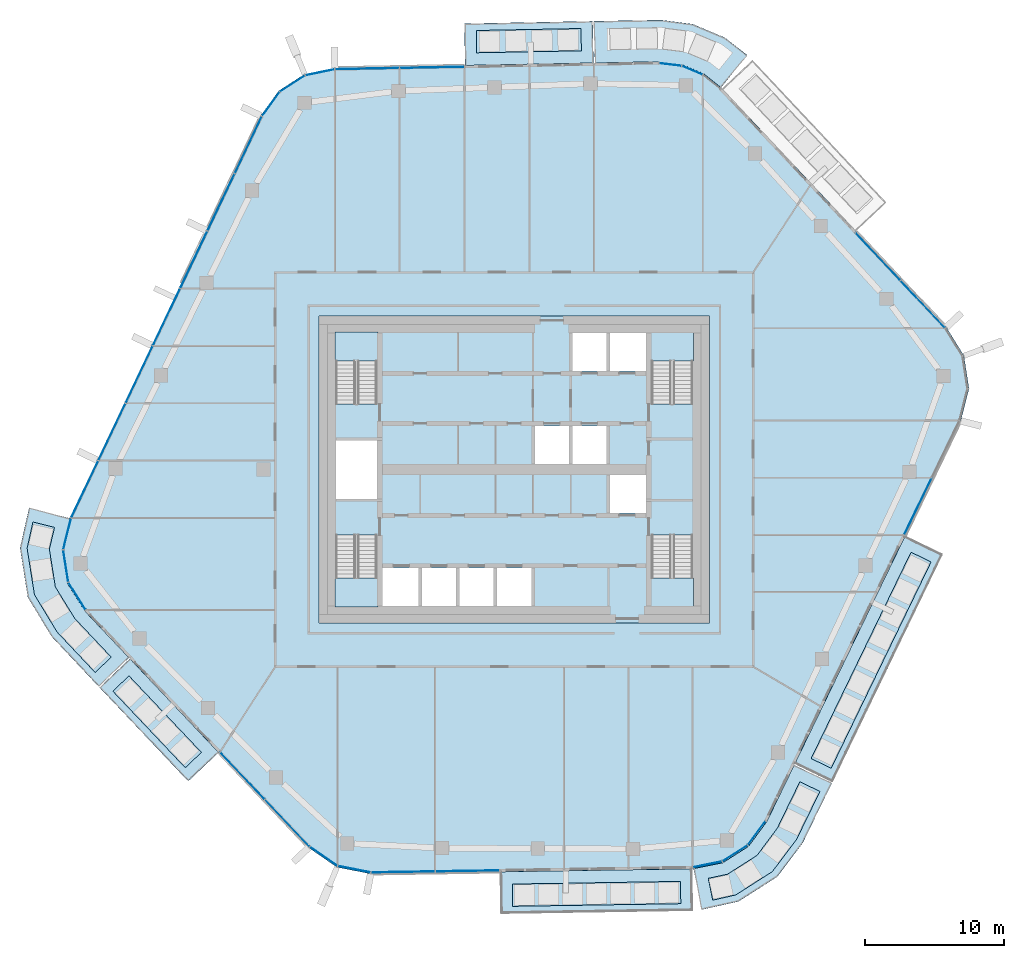
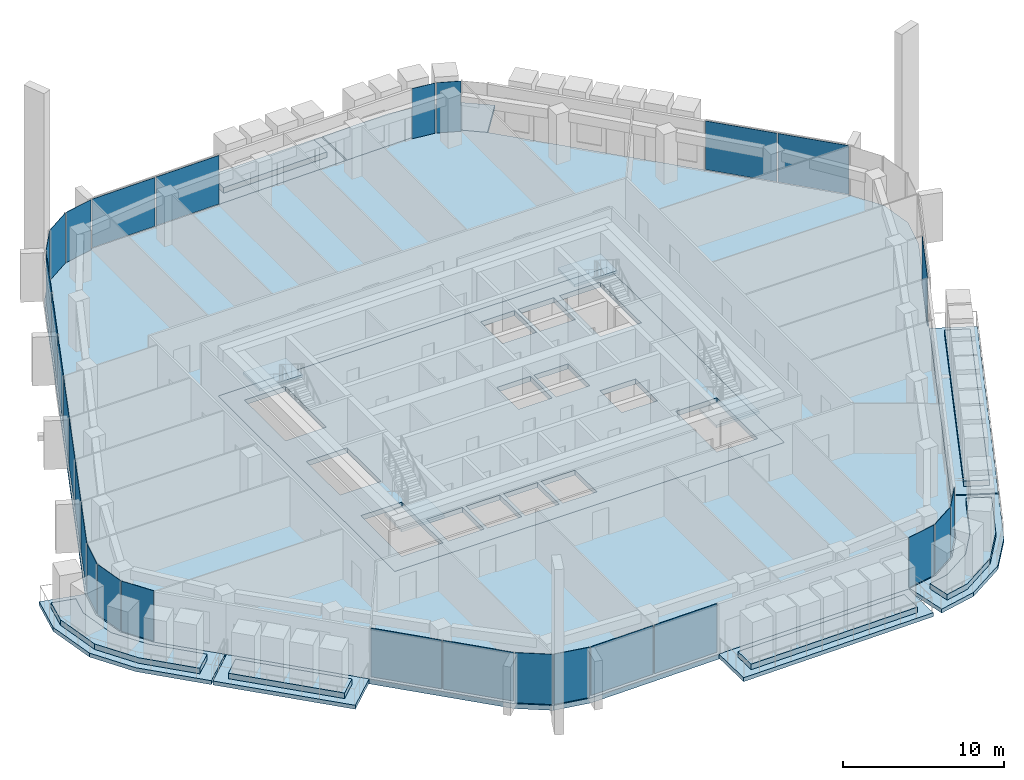
# One storey, part 11 of 24: 29 plates, 19 slabs, 15 elements without a shape of their own.
"""IFC4 building model written with IfcOpenShell, lengths in metres."""

from ifc_helpers import new_model, si_unit, direction, frame, origin, origin_2d, place, context, subcontext, project, spatial, polyline, rectangle, outline, extrude, material, layer, layer_set, type_object, element, aggregate, save


model = new_model("IFC4")

# Units and contexts
model_context = context("Model", 3, precision=1e-05, world=origin(), true_north=direction((0.0, 1.0)))
body_context = subcontext(model_context, "Body", "Model", "MODEL_VIEW")
ifc_project = project(units=[si_unit("LENGTHUNIT", "METRE"), si_unit("AREAUNIT", "SQUARE_METRE"), si_unit("VOLUMEUNIT", "CUBIC_METRE"), si_unit("PLANEANGLEUNIT", "RADIAN"), si_unit("MASSUNIT", "GRAM", prefix="KILO")], contexts=[model_context])

# Site, building, storey
site_placement = place(None, origin())
site = spatial("IfcSite", under=ifc_project, at=site_placement, CompositionType="ELEMENT")
building_placement = place(site_placement, origin())
building = spatial("IfcBuilding", under=site, at=building_placement, Name="Dongbaek Canopy Tower", CompositionType="ELEMENT")
storey_placement = place(building_placement, frame((0.0, 0.0, 294.199951171875)))
storey = spatial("IfcBuildingStorey", under=building, at=storey_placement, Name="L62", CompositionType="ELEMENT", Elevation=294.199951171875)

# Slabs
ifc_material_1 = material(Name="Concrete C40/50", Category="concrete")
ifc_layer_1 = layer(ifc_material_1, 0.300048828125)
ifc_layer_set_1 = layer_set([ifc_layer_1], Name="Balcony slab 300")
slab_type_1 = type_object("IfcSlabType", Name="Balcony slab 300", PredefinedType="FLOOR", material=ifc_layer_set_1)
slab_1_placement = place(storey_placement, frame((0.0, 0.0, -0.300048828125)))
element("IfcSlab", 1, at=slab_1_placement, inside=storey, type_object=slab_type_1, Name="Balcony L62 2", PredefinedType="FLOOR", context=body_context, shape_type="SweptSolid", body=[
    extrude(outline(polyline([(5.68310546875, 29.171875), (-3.52685546875, 28.99755859375), (-3.58349609375, 31.9970703125), (5.62646484375, 32.17138671875), (5.68310546875, 29.171875)])), origin(), (0.0, 0.0, 1.0), 0.300048828125),
])
slab_2_placement = place(storey_placement, frame((0.0, 0.0, -0.300048828125)))
element("IfcSlab", 2, at=slab_2_placement, inside=storey, type_object=slab_type_1, Name="Balcony L62 6", PredefinedType="FLOOR", context=body_context, shape_type="SweptSolid", body=[
    extrude(outline(polyline([(14.834716796875, 27.402099609375), (13.575927734375, 28.414306640625), (12.041259765625, 29.060791015625), (10.387939453125, 29.2607421875), (5.782958984375, 29.173583984375), (5.726318359375, 32.173095703125), (10.5400390625, 32.2568359375), (12.81103515625, 31.96044921875), (15.113037109375, 30.990478515625), (16.714599609375, 29.740234375), (14.834716796875, 27.402099609375)])), origin(), (0.0, 0.0, 1.0), 0.300048828125),
])
slab_3_placement = place(storey_placement, frame((0.0, 0.0, -0.300048828125)))
element("IfcSlab", 3, at=slab_3_placement, inside=storey, type_object=slab_type_1, Name="Balcony L62 3", PredefinedType="FLOOR", context=body_context, shape_type="SweptSolid", body=[
    extrude(outline(polyline([(-27.58154296875, -13.57568359375), (-21.217041015625, -20.3017578125), (-23.39599609375, -22.36376953125), (-29.7607421875, -15.6376953125), (-27.58154296875, -13.57568359375)])), origin(), (0.0, 0.0, 1.0), 0.300048828125),
])
slab_4_placement = place(storey_placement, frame((0.0, 0.0, -0.300048828125)))
element("IfcSlab", 4, at=slab_4_placement, inside=storey, type_object=slab_type_1, Name="Balcony L62 7", PredefinedType="FLOOR", context=body_context, shape_type="SweptSolid", body=[
    extrude(outline(polyline([(-31.906005859375, -3.48974609375), (-32.468994140625, -5.757568359375), (-32.095458984375, -8.114990234375), (-30.832763671875, -10.14013671875), (-27.650390625, -13.503173828125), (-29.829345703125, -15.565185546875), (-33.20703125, -11.973876953125), (-34.906005859375, -9.164306640625), (-35.46630859375, -5.62841796875), (-34.817626953125, -2.76708984375), (-31.906005859375, -3.48974609375)])), origin(), (0.0, 0.0, 1.0), 0.300048828125),
])
slab_5_placement = place(storey_placement, frame((0.0, 0.0, -0.300048828125)))
element("IfcSlab", 5, at=slab_5_placement, inside=storey, type_object=slab_type_1, Name="Balcony L62 4", PredefinedType="FLOOR", context=body_context, shape_type="SweptSolid", body=[
    extrude(outline(polyline([(-1.003173828125, -28.866455078125), (12.76220703125, -28.650634765625), (12.809326171875, -31.650146484375), (-0.956298828125, -31.8662109375), (-1.003173828125, -28.866455078125)])), origin(), (0.0, 0.0, 1.0), 0.300048828125),
])
slab_6_placement = place(storey_placement, frame((0.0, 0.0, -0.300048828125)))
element("IfcSlab", 6, at=slab_6_placement, inside=storey, type_object=slab_type_1, Name="Balcony L62 5", PredefinedType="FLOOR", context=body_context, shape_type="SweptSolid", body=[
    extrude(outline(polyline([(20.128662109375, -21.11474609375), (28.0390625, -4.780517578125), (30.739013671875, -6.088134765625), (22.82861328125, -22.42236328125), (20.128662109375, -21.11474609375)])), origin(), (0.0, 0.0, 1.0), 0.300048828125),
])
slab_7_placement = place(storey_placement, frame((0.0, 0.0, -0.300048828125)))
element("IfcSlab", 7, at=slab_7_placement, inside=storey, type_object=slab_type_1, Name="Balcony L62 8", PredefinedType="FLOOR", context=body_context, shape_type="SweptSolid", body=[
    extrude(outline(polyline([(12.861328125, -28.639892578125), (14.96435546875, -28.214111328125), (16.815673828125, -27.033447265625), (18.118408203125, -25.265625), (20.0849609375, -21.20458984375), (22.78515625, -22.51220703125), (20.686767578125, -26.81591796875), (18.864501953125, -29.224853515625), (16.087646484375, -30.99609375), (13.45654296875, -31.580322265625), (12.861328125, -28.639892578125)])), origin(), (0.0, 0.0, 1.0), 0.300048828125),
])

# Curtain wall, plates
ifc_material_2 = material(Name="Aluminium 6063-T6 pale anodised", Category="aluminium")
ifc_layer_2 = layer(ifc_material_2, 0.199951171875)
ifc_layer_set_2 = layer_set([ifc_layer_2], Name="CW-1 unitised tower curtain wall")
curtain_wall_type = type_object("IfcCurtainWallType", Name="CW-1 unitised tower curtain wall", PredefinedType="NOTDEFINED", material=ifc_layer_set_2)
curtain_wall_1_placement = place(storey_placement, origin())
curtain_wall_1 = element("IfcCurtainWall", 8, at=curtain_wall_1_placement, inside=storey, type_object=curtain_wall_type, Name="CW-1 curtain wall F0.1", PredefinedType="NOTDEFINED")
ifc_material_3 = material(Name="Clear laminated glass", Category="glass")
ifc_layer_3 = layer(ifc_material_3, 0.028076171875)
ifc_layer_set_3 = layer_set([ifc_layer_3], Name="CW-1 glazed panel 28")
plate_type = type_object("IfcPlateType", Name="CW-1 glazed panel 28", PredefinedType="CURTAIN_PANEL", material=ifc_layer_set_3)
plate_1_placement = place(storey_placement, frame((29.320068359375, 11.85302734375, 0.1201171875), z_axis=(0.0, 0.0, 1.0), x_axis=(-0.684830626177, 0.728702280393, 0.0)))
plate_1 = element("IfcPlate", 9, at=plate_1_placement, type_object=plate_type, Name="CW-1 panel F0.1.1.1", PredefinedType="CURTAIN_PANEL", context=body_context, shape_type="SweptSolid", body=[
    extrude(rectangle(XDim=4.618408203125, YDim=0.028076171875, at=origin_2d()), origin(), (0.0, 0.0, 1.0), 3.699951171875),
])
plate_2_placement = place(storey_placement, frame((26.09619140625, 15.283203125, 0.1201171875), z_axis=(0.0, 0.0, 1.0), x_axis=(-0.684830626177, 0.728702280393, 0.0)))
plate_2 = element("IfcPlate", 10, at=plate_2_placement, type_object=plate_type, Name="CW-1 panel F0.1.2.1", PredefinedType="CURTAIN_PANEL", context=body_context, shape_type="SweptSolid", body=[
    extrude(rectangle(XDim=4.62841796875, YDim=0.028076171875, at=origin_2d()), origin(), (0.0, 0.0, 1.0), 3.699951171875),
])
aggregate(curtain_wall_1, [plate_1, plate_2])

curtain_wall_2_placement = place(storey_placement, origin())
curtain_wall_2 = element("IfcCurtainWall", 11, at=curtain_wall_2_placement, inside=storey, type_object=curtain_wall_type, Name="CW-1 curtain wall K1.1", PredefinedType="NOTDEFINED")
plate_3_placement = place(storey_placement, frame((12.769775390625, 28.6455078125, 0.0), z_axis=(0.0, 0.0, 1.0), x_axis=(-0.921543381479, 0.38827541263, 0.0)))
plate_3 = element("IfcPlate", 12, at=plate_3_placement, type_object=plate_type, Name="CW-1 panel K1.1.2.1", PredefinedType="CURTAIN_PANEL", context=body_context, shape_type="SweptSolid", body=[
    extrude(rectangle(XDim=1.55322265625, YDim=0.028076171875, at=origin_2d()), origin(), (0.0, 0.0, 1.0), 3.820068359375),
])
plate_4_placement = place(storey_placement, frame((11.198974609375, 29.06201171875, 0.0), z_axis=(0.0, 0.0, 1.0), x_axis=(-0.992770795832, 0.120025609533, 0.0)))
plate_4 = element("IfcPlate", 13, at=plate_4_placement, type_object=plate_type, Name="CW-1 panel K1.1.3.1", PredefinedType="CURTAIN_PANEL", context=body_context, shape_type="SweptSolid", body=[
    extrude(rectangle(XDim=1.560302734375, YDim=0.028076171875, at=origin_2d()), origin(), (0.0, 0.0, 1.0), 3.820068359375),
])
aggregate(curtain_wall_2, [plate_3, plate_4])

curtain_wall_3_placement = place(storey_placement, origin())
curtain_wall_3 = element("IfcCurtainWall", 14, at=curtain_wall_3_placement, inside=storey, type_object=curtain_wall_type, Name="CW-1 curtain wall F1.1", PredefinedType="NOTDEFINED")
plate_5_placement = place(storey_placement, frame((-5.90234375, 28.852783203125, 0.1201171875), z_axis=(0.0, 0.0, 1.0), x_axis=(-0.999821283067, -0.018905076744, 0.0)))
plate_5 = element("IfcPlate", 15, at=plate_5_placement, type_object=plate_type, Name="CW-1 panel F1.1.1.1", PredefinedType="CURTAIN_PANEL", context=body_context, shape_type="SweptSolid", body=[
    extrude(rectangle(XDim=4.57177734375, YDim=0.028076171875, at=origin_2d()), origin(), (0.0, 0.0, 1.0), 3.699951171875),
])
plate_6_placement = place(storey_placement, frame((-10.552734375, 28.764892578125, 0.1201171875), z_axis=(0.0, 0.0, 1.0), x_axis=(-0.999821283067, -0.018905076744, 0.0)))
plate_6 = element("IfcPlate", 16, at=plate_6_placement, type_object=plate_type, Name="CW-1 panel F1.1.2.1", PredefinedType="CURTAIN_PANEL", context=body_context, shape_type="SweptSolid", body=[
    extrude(rectangle(XDim=4.5625, YDim=0.028076171875, at=origin_2d()), origin(), (0.0, 0.0, 1.0), 3.699951171875),
])
aggregate(curtain_wall_3, [plate_5, plate_6])

curtain_wall_4_placement = place(storey_placement, origin())
curtain_wall_4 = element("IfcCurtainWall", 17, at=curtain_wall_4_placement, inside=storey, type_object=curtain_wall_type, Name="CW-1 curtain wall K2.1", PredefinedType="NOTDEFINED")
plate_7_placement = place(storey_placement, frame((-13.941162109375, 28.500732421875, 0.0), z_axis=(0.0, 0.0, 1.0), x_axis=(-0.979338843238, -0.202226185556, 0.0)))
plate_7 = element("IfcPlate", 18, at=plate_7_placement, type_object=plate_type, Name="CW-1 panel K2.1.1.1", PredefinedType="CURTAIN_PANEL", context=body_context, shape_type="SweptSolid", body=[
    extrude(rectangle(XDim=2.092041015625, YDim=0.028076171875, at=origin_2d()), origin(), (0.0, 0.0, 1.0), 3.820068359375),
])
plate_8_placement = place(storey_placement, frame((-15.9169921875, 27.693359375, 0.0), z_axis=(0.0, 0.0, 1.0), x_axis=(-0.840235342412, -0.542221882039, 0.0)))
plate_8 = element("IfcPlate", 19, at=plate_8_placement, type_object=plate_type, Name="CW-1 panel K2.1.2.1", PredefinedType="CURTAIN_PANEL", context=body_context, shape_type="SweptSolid", body=[
    extrude(rectangle(XDim=2.082763671875, YDim=0.028076171875, at=origin_2d()), origin(), (0.0, 0.0, 1.0), 3.820068359375),
])
plate_9_placement = place(storey_placement, frame((-17.466796875, 26.2255859375, 0.0), z_axis=(0.0, 0.0, 1.0), x_axis=(-0.587744722494, -0.809046439446, 0.0)))
plate_9 = element("IfcPlate", 20, at=plate_9_placement, type_object=plate_type, Name="CW-1 panel K2.1.3.1", PredefinedType="CURTAIN_PANEL", context=body_context, shape_type="SweptSolid", body=[
    extrude(rectangle(XDim=2.092041015625, YDim=0.028076171875, at=origin_2d()), origin(), (0.0, 0.0, 1.0), 3.820068359375),
])
aggregate(curtain_wall_4, [plate_7, plate_8, plate_9])

curtain_wall_5_placement = place(storey_placement, origin())
curtain_wall_5 = element("IfcCurtainWall", 21, at=curtain_wall_5_placement, inside=storey, type_object=curtain_wall_type, Name="CW-1 curtain wall F2.1", PredefinedType="NOTDEFINED")
plate_10_placement = place(storey_placement, frame((-19.0830078125, 23.28955078125, 0.1201171875), z_axis=(0.0, 0.0, 1.0), x_axis=(-0.429143310174, -0.903236413866, 0.0)))
plate_10 = element("IfcPlate", 22, at=plate_10_placement, type_object=plate_type, Name="CW-1 panel F2.1.1.1", PredefinedType="CURTAIN_PANEL", context=body_context, shape_type="SweptSolid", body=[
    extrude(rectangle(XDim=4.4677734375, YDim=0.028076171875, at=origin_2d()), origin(), (0.0, 0.0, 1.0), 3.699951171875),
])
plate_11_placement = place(storey_placement, frame((-21.038330078125, 19.174072265625, 0.1201171875), z_axis=(0.0, 0.0, 1.0), x_axis=(-0.429143310174, -0.903236413866, 0.0)))
plate_11 = element("IfcPlate", 23, at=plate_11_placement, type_object=plate_type, Name="CW-1 panel F2.1.2.1", PredefinedType="CURTAIN_PANEL", context=body_context, shape_type="SweptSolid", body=[
    extrude(rectangle(XDim=4.47705078125, YDim=0.028076171875, at=origin_2d()), origin(), (0.0, 0.0, 1.0), 3.699951171875),
])
plate_12_placement = place(storey_placement, frame((-22.99560546875, 15.054443359375, 0.1201171875), z_axis=(0.0, 0.0, 1.0), x_axis=(-0.429143310174, -0.903236413866, 0.0)))
plate_12 = element("IfcPlate", 24, at=plate_12_placement, type_object=plate_type, Name="CW-1 panel F2.1.3.1", PredefinedType="CURTAIN_PANEL", context=body_context, shape_type="SweptSolid", body=[
    extrude(rectangle(XDim=4.47705078125, YDim=0.028076171875, at=origin_2d()), origin(), (0.0, 0.0, 1.0), 3.699951171875),
])
plate_13_placement = place(storey_placement, frame((-24.952880859375, 10.934814453125, 0.1201171875), z_axis=(0.0, 0.0, 1.0), x_axis=(-0.429143310174, -0.903236413866, 0.0)))
plate_13 = element("IfcPlate", 25, at=plate_13_placement, type_object=plate_type, Name="CW-1 panel F2.1.4.1", PredefinedType="CURTAIN_PANEL", context=body_context, shape_type="SweptSolid", body=[
    extrude(rectangle(XDim=4.47705078125, YDim=0.028076171875, at=origin_2d()), origin(), (0.0, 0.0, 1.0), 3.699951171875),
])
plate_14_placement = place(storey_placement, frame((-26.910400390625, 6.81494140625, 0.1201171875), z_axis=(0.0, 0.0, 1.0), x_axis=(-0.429143310174, -0.903236413866, 0.0)))
plate_14 = element("IfcPlate", 26, at=plate_14_placement, type_object=plate_type, Name="CW-1 panel F2.1.5.1", PredefinedType="CURTAIN_PANEL", context=body_context, shape_type="SweptSolid", body=[
    extrude(rectangle(XDim=4.47705078125, YDim=0.028076171875, at=origin_2d()), origin(), (0.0, 0.0, 1.0), 3.699951171875),
])
plate_15_placement = place(storey_placement, frame((-28.86767578125, 2.6953125, 0.1201171875), z_axis=(0.0, 0.0, 1.0), x_axis=(-0.429143310174, -0.903236413866, 0.0)))
plate_15 = element("IfcPlate", 27, at=plate_15_placement, type_object=plate_type, Name="CW-1 panel F2.1.6.1", PredefinedType="CURTAIN_PANEL", context=body_context, shape_type="SweptSolid", body=[
    extrude(rectangle(XDim=4.47705078125, YDim=0.028076171875, at=origin_2d()), origin(), (0.0, 0.0, 1.0), 3.699951171875),
])
plate_16_placement = place(storey_placement, frame((-30.82275390625, -1.419921875, 0.1201171875), z_axis=(0.0, 0.0, 1.0), x_axis=(-0.429143310174, -0.903236413866, 0.0)))
plate_16 = element("IfcPlate", 28, at=plate_16_placement, type_object=plate_type, Name="CW-1 panel F2.1.7.1", PredefinedType="CURTAIN_PANEL", context=body_context, shape_type="SweptSolid", body=[
    extrude(rectangle(XDim=4.467041015625, YDim=0.028076171875, at=origin_2d()), origin(), (0.0, 0.0, 1.0), 3.699951171875),
])
aggregate(curtain_wall_5, [plate_10, plate_11, plate_12, plate_13, plate_14, plate_15, plate_16])

curtain_wall_6_placement = place(storey_placement, origin())
curtain_wall_6 = element("IfcCurtainWall", 29, at=curtain_wall_6_placement, inside=storey, type_object=curtain_wall_type, Name="CW-1 curtain wall K3.1", PredefinedType="NOTDEFINED")
plate_17_placement = place(storey_placement, frame((-32.083251953125, -4.61865234375, 0.0), z_axis=(0.0, 0.0, 1.0), x_axis=(-0.240927401867, -0.970543140221, 0.0)))
plate_17 = element("IfcPlate", 30, at=plate_17_placement, type_object=plate_type, Name="CW-1 panel K3.1.1.1", PredefinedType="CURTAIN_PANEL", context=body_context, shape_type="SweptSolid", body=[
    extrude(rectangle(XDim=2.272216796875, YDim=0.028076171875, at=origin_2d()), origin(), (0.0, 0.0, 1.0), 3.820068359375),
])
plate_18_placement = place(storey_placement, frame((-32.18359375, -6.920654296875, 0.0), z_axis=(0.0, 0.0, 1.0), x_axis=(0.156478612427, -0.987681347325, 0.0)))
plate_18 = element("IfcPlate", 31, at=plate_18_placement, type_object=plate_type, Name="CW-1 panel K3.1.2.1", PredefinedType="CURTAIN_PANEL", context=body_context, shape_type="SweptSolid", body=[
    extrude(rectangle(XDim=2.261962890625, YDim=0.028076171875, at=origin_2d()), origin(), (0.0, 0.0, 1.0), 3.820068359375),
])
plate_19_placement = place(storey_placement, frame((-31.37646484375, -9.078857421875, 0.0), z_axis=(0.0, 0.0, 1.0), x_axis=(0.529125757844, -0.848543418091, 0.0)))
plate_19 = element("IfcPlate", 32, at=plate_19_placement, type_object=plate_type, Name="CW-1 panel K3.1.3.1", PredefinedType="CURTAIN_PANEL", context=body_context, shape_type="SweptSolid", body=[
    extrude(rectangle(XDim=2.272216796875, YDim=0.028076171875, at=origin_2d()), origin(), (0.0, 0.0, 1.0), 3.820068359375),
])
aggregate(curtain_wall_6, [plate_17, plate_18, plate_19])

curtain_wall_7_placement = place(storey_placement, origin())
curtain_wall_7 = element("IfcCurtainWall", 33, at=curtain_wall_7_placement, inside=storey, type_object=curtain_wall_type, Name="CW-1 curtain wall F3.1", PredefinedType="NOTDEFINED")
plate_20_placement = place(storey_placement, frame((-19.501708984375, -21.96923828125, 0.1201171875), z_axis=(0.0, 0.0, 1.0), x_axis=(0.687319879132, -0.72635486076, 0.0)))
plate_20 = element("IfcPlate", 34, at=plate_20_placement, type_object=plate_type, Name="CW-1 panel F3.1.1.1", PredefinedType="CURTAIN_PANEL", context=body_context, shape_type="SweptSolid", body=[
    extrude(rectangle(XDim=4.595947265625, YDim=0.028076171875, at=origin_2d()), origin(), (0.0, 0.0, 1.0), 3.699951171875),
])
plate_21_placement = place(storey_placement, frame((-16.28857421875, -25.36474609375, 0.1201171875), z_axis=(0.0, 0.0, 1.0), x_axis=(0.687319879132, -0.72635486076, 0.0)))
plate_21 = element("IfcPlate", 35, at=plate_21_placement, type_object=plate_type, Name="CW-1 panel F3.1.2.1", PredefinedType="CURTAIN_PANEL", context=body_context, shape_type="SweptSolid", body=[
    extrude(rectangle(XDim=4.585693359375, YDim=0.028076171875, at=origin_2d()), origin(), (0.0, 0.0, 1.0), 3.699951171875),
])
aggregate(curtain_wall_7, [plate_20, plate_21])

curtain_wall_8_placement = place(storey_placement, origin())
curtain_wall_8 = element("IfcCurtainWall", 36, at=curtain_wall_8_placement, inside=storey, type_object=curtain_wall_type, Name="CW-1 curtain wall K4.1", PredefinedType="NOTDEFINED")
plate_22_placement = place(storey_placement, frame((-13.68212890625, -27.75439453125, 0.0), z_axis=(0.0, 0.0, 1.0), x_axis=(0.822028873254, -0.569445810886, 0.0)))
plate_22 = element("IfcPlate", 37, at=plate_22_placement, type_object=plate_type, Name="CW-1 panel K4.1.1.1", PredefinedType="CURTAIN_PANEL", context=body_context, shape_type="SweptSolid", body=[
    extrude(rectangle(XDim=2.352783203125, YDim=0.028076171875, at=origin_2d()), origin(), (0.0, 0.0, 1.0), 3.820068359375),
])
plate_23_placement = place(storey_placement, frame((-11.484375, -28.68017578125, 0.0), z_axis=(0.0, 0.0, 1.0), x_axis=(0.981722233232, -0.190319354711, 0.0)))
plate_23 = element("IfcPlate", 38, at=plate_23_placement, type_object=plate_type, Name="CW-1 panel K4.1.2.1", PredefinedType="CURTAIN_PANEL", context=body_context, shape_type="SweptSolid", body=[
    extrude(rectangle(XDim=2.352783203125, YDim=0.028076171875, at=origin_2d()), origin(), (0.0, 0.0, 1.0), 3.820068359375),
])
aggregate(curtain_wall_8, [plate_22, plate_23])

curtain_wall_9_placement = place(storey_placement, origin())
curtain_wall_9 = element("IfcCurtainWall", 39, at=curtain_wall_9_placement, inside=storey, type_object=curtain_wall_type, Name="CW-1 curtain wall F4.1", PredefinedType="NOTDEFINED")
plate_24_placement = place(storey_placement, frame((-7.982421875, -28.8759765625, 0.1201171875), z_axis=(0.0, 0.0, 1.0), x_axis=(0.999876999065, 0.015683964455, 0.0)))
plate_24 = element("IfcPlate", 40, at=plate_24_placement, type_object=plate_type, Name="CW-1 panel F4.1.1.1", PredefinedType="CURTAIN_PANEL", context=body_context, shape_type="SweptSolid", body=[
    extrude(rectangle(XDim=4.528076171875, YDim=0.028076171875, at=origin_2d()), origin(), (0.0, 0.0, 1.0), 3.699951171875),
])
plate_25_placement = place(storey_placement, frame((-3.36572265625, -28.803466796875, 0.1201171875), z_axis=(0.0, 0.0, 1.0), x_axis=(0.999876999065, 0.015683964455, 0.0)))
plate_25 = element("IfcPlate", 41, at=plate_25_placement, type_object=plate_type, Name="CW-1 panel F4.1.2.1", PredefinedType="CURTAIN_PANEL", context=body_context, shape_type="SweptSolid", body=[
    extrude(rectangle(XDim=4.538330078125, YDim=0.028076171875, at=origin_2d()), origin(), (0.0, 0.0, 1.0), 3.699951171875),
])
aggregate(curtain_wall_9, [plate_24, plate_25])

curtain_wall_10_placement = place(storey_placement, origin())
curtain_wall_10 = element("IfcCurtainWall", 42, at=curtain_wall_10_placement, inside=storey, type_object=curtain_wall_type, Name="CW-1 curtain wall K5.1", PredefinedType="NOTDEFINED")
plate_26_placement = place(storey_placement, frame((13.864013671875, -28.3349609375, 0.0), z_axis=(0.0, 0.0, 1.0), x_axis=(0.98012540497, 0.19837890647, 0.0)))
plate_26 = element("IfcPlate", 43, at=plate_26_placement, type_object=plate_type, Name="CW-1 panel K5.1.1.1", PredefinedType="CURTAIN_PANEL", context=body_context, shape_type="SweptSolid", body=[
    extrude(rectangle(XDim=2.083984375, YDim=0.028076171875, at=origin_2d()), origin(), (0.0, 0.0, 1.0), 3.820068359375),
])
plate_27_placement = place(storey_placement, frame((15.83642578125, -27.53955078125, 0.0), z_axis=(0.0, 0.0, 1.0), x_axis=(0.843117414941, 0.53772950879, 0.0)))
plate_27 = element("IfcPlate", 44, at=plate_27_placement, type_object=plate_type, Name="CW-1 panel K5.1.2.1", PredefinedType="CURTAIN_PANEL", context=body_context, shape_type="SweptSolid", body=[
    extrude(rectangle(XDim=2.074462890625, YDim=0.028076171875, at=origin_2d()), origin(), (0.0, 0.0, 1.0), 3.820068359375),
])
plate_28_placement = place(storey_placement, frame((17.389404296875, -26.08642578125, 0.0), z_axis=(0.0, 0.0, 1.0), x_axis=(0.593190692138, 0.805061986906, 0.0)))
plate_28 = element("IfcPlate", 45, at=plate_28_placement, type_object=plate_type, Name="CW-1 panel K5.1.3.1", PredefinedType="CURTAIN_PANEL", context=body_context, shape_type="SweptSolid", body=[
    extrude(rectangle(XDim=2.083984375, YDim=0.028076171875, at=origin_2d()), origin(), (0.0, 0.0, 1.0), 3.820068359375),
])
aggregate(curtain_wall_10, [plate_26, plate_27, plate_28])

# Curtain wall, plate
curtain_wall_11_placement = place(storey_placement, origin())
curtain_wall_11 = element("IfcCurtainWall", 46, at=curtain_wall_11_placement, inside=storey, type_object=curtain_wall_type, Name="CW-1 curtain wall F5.1", PredefinedType="NOTDEFINED")
plate_29_placement = place(storey_placement, frame((28.965087890625, -2.638916015625, 0.1201171875), z_axis=(0.0, 0.0, 1.0), x_axis=(0.435863332121, 0.900012864193, 0.0)))
plate_29 = element("IfcPlate", 47, at=plate_29_placement, type_object=plate_type, Name="CW-1 panel F5.1.1.1", PredefinedType="CURTAIN_PANEL", context=body_context, shape_type="SweptSolid", body=[
    extrude(rectangle(XDim=4.478271484375, YDim=0.028076171875, at=origin_2d()), origin(), (0.0, 0.0, 1.0), 3.699951171875),
])
aggregate(curtain_wall_11, [plate_29])

# Slab
ifc_material_4 = material(Name="Concrete C40/50", Category="concrete")
ifc_layer_4 = layer(ifc_material_4, 0.3798828125)
ifc_layer_set_4 = layer_set([ifc_layer_4], Name="Core floor slab 380 Concrete C40/50")
slab_type_2 = type_object("IfcSlabType", Name="Core floor slab 380 Concrete C40/50", PredefinedType="FLOOR", material=ifc_layer_set_4)
slab_8_placement = place(storey_placement, frame((0.0, 0.0, -0.3798828125)))
element("IfcSlab", 48, at=slab_8_placement, inside=storey, type_object=slab_type_2, Name="Core floor slab L62", PredefinedType="FLOOR", context=body_context, shape_type="SweptSolid", body=[
    extrude(outline(polyline([(14.0, -11.0), (14.0, 11.0), (-14.0, 11.0), (-14.0, -11.0), (14.0, -11.0)]), holes=[polyline([(-12.800048828125, 2.10009765625), (-9.85009765625, 2.10009765625), (-9.85009765625, -2.10009765625), (-12.800048828125, -2.10009765625), (-12.800048828125, 2.10009765625)]), polyline([(6.625, 9.800048828125), (6.625, 7.074951171875), (4.175048828125, 7.074951171875), (4.175048828125, 9.800048828125), (6.625, 9.800048828125)]), polyline([(9.449951171875, 7.074951171875), (6.875, 7.074951171875), (6.875, 9.800048828125), (9.449951171875, 9.800048828125), (9.449951171875, 7.074951171875)]), polyline([(1.47509765625, 0.39990234375), (1.47509765625, 3.125), (3.925048828125, 3.125), (3.925048828125, 0.39990234375), (1.47509765625, 0.39990234375)]), polyline([(4.175048828125, 0.39990234375), (4.175048828125, 3.125), (6.625, 3.125), (6.625, 0.39990234375), (4.175048828125, 0.39990234375)]), polyline([(9.449951171875, -3.125), (6.875, -3.125), (6.875, -0.39990234375), (9.449951171875, -0.39990234375), (9.449951171875, -3.125)]), polyline([(-9.449951171875, -7.074951171875), (-6.875, -7.074951171875), (-6.875, -9.800048828125), (-9.449951171875, -9.800048828125), (-9.449951171875, -7.074951171875)]), polyline([(-6.625, -9.800048828125), (-6.625, -7.074951171875), (-4.175048828125, -7.074951171875), (-4.175048828125, -9.800048828125), (-6.625, -9.800048828125)]), polyline([(-3.925048828125, -9.800048828125), (-3.925048828125, -7.074951171875), (-1.47509765625, -7.074951171875), (-1.47509765625, -9.800048828125), (-3.925048828125, -9.800048828125)]), polyline([(-1.22509765625, -9.800048828125), (-1.22509765625, -7.074951171875), (1.22509765625, -7.074951171875), (1.22509765625, -9.800048828125), (-1.22509765625, -9.800048828125)]), polyline([(12.800048828125, 4.70068359375), (12.800048828125, 9.800048828125), (9.85009765625, 9.800048828125), (9.85009765625, 4.70068359375), (12.800048828125, 4.70068359375)]), polyline([(-9.85009765625, 4.70068359375), (-9.85009765625, 9.800048828125), (-12.800048828125, 9.800048828125), (-12.800048828125, 4.70068359375), (-9.85009765625, 4.70068359375)]), polyline([(9.85009765625, -4.70068359375), (9.85009765625, -9.800048828125), (12.800048828125, -9.800048828125), (12.800048828125, -4.70068359375), (9.85009765625, -4.70068359375)]), polyline([(-12.800048828125, -4.70068359375), (-12.800048828125, -9.800048828125), (-9.85009765625, -9.800048828125), (-9.85009765625, -4.70068359375), (-12.800048828125, -4.70068359375)])]), origin(), (0.0, 0.0, 1.0), 0.3798828125),
])

# Stair, slab
ifc_material_5 = material(Name="Concrete C40/50", Category="concrete")
stair_type = type_object("IfcStairType", Name="Core exit stair", PredefinedType="HALF_TURN_STAIR", material=ifc_material_5)
stair_1_placement = place(storey_placement, origin())
stair_1 = element("IfcStair", 49, at=stair_1_placement, inside=storey, type_object=stair_type, Name="L62 exit stair A", PredefinedType="HALF_TURN_STAIR")
ifc_material_6 = material(Name="Concrete C40/50", Category="concrete")
ifc_layer_5 = layer(ifc_material_6, 0.199951171875)
ifc_layer_set_5 = layer_set([ifc_layer_5], Name="Core stair landing 200")
slab_type_3 = type_object("IfcSlabType", Name="Core stair landing 200", PredefinedType="LANDING", material=ifc_layer_set_5)
slab_9_placement = place(storey_placement, frame((0.0, 0.0, 1.900146484375)))
slab_9 = element("IfcSlab", 50, at=slab_9_placement, type_object=slab_type_3, Name="ST-A landing 1", PredefinedType="LANDING", context=body_context, shape_type="SweptSolid", body=[
    extrude(outline(polyline([(12.875, 7.780029296875), (12.875, 9.875), (9.77490234375, 9.875), (9.77490234375, 7.780029296875), (12.875, 7.780029296875)])), origin(), (0.0, 0.0, 1.0), 0.199951171875),
])
aggregate(stair_1, [slab_9])

stair_2_placement = place(storey_placement, origin())
stair_2 = element("IfcStair", 51, at=stair_2_placement, inside=storey, type_object=stair_type, Name="L62 exit stair C", PredefinedType="HALF_TURN_STAIR")
slab_10_placement = place(storey_placement, frame((0.0, 0.0, 1.900146484375)))
slab_10 = element("IfcSlab", 52, at=slab_10_placement, type_object=slab_type_3, Name="ST-C landing 1", PredefinedType="LANDING", context=body_context, shape_type="SweptSolid", body=[
    extrude(outline(polyline([(-9.77490234375, 7.780029296875), (-9.77490234375, 9.875), (-12.875, 9.875), (-12.875, 7.780029296875), (-9.77490234375, 7.780029296875)])), origin(), (0.0, 0.0, 1.0), 0.199951171875),
])
aggregate(stair_2, [slab_10])

stair_3_placement = place(storey_placement, origin())
stair_3 = element("IfcStair", 53, at=stair_3_placement, inside=storey, type_object=stair_type, Name="L62 exit stair B", PredefinedType="HALF_TURN_STAIR")
slab_11_placement = place(storey_placement, frame((0.0, 0.0, 1.900146484375)))
slab_11 = element("IfcSlab", 54, at=slab_11_placement, type_object=slab_type_3, Name="ST-B landing 1", PredefinedType="LANDING", context=body_context, shape_type="SweptSolid", body=[
    extrude(outline(polyline([(9.77490234375, -7.780029296875), (9.77490234375, -9.875), (12.875, -9.875), (12.875, -7.780029296875), (9.77490234375, -7.780029296875)])), origin(), (0.0, 0.0, 1.0), 0.199951171875),
])
aggregate(stair_3, [slab_11])

stair_4_placement = place(storey_placement, origin())
stair_4 = element("IfcStair", 55, at=stair_4_placement, inside=storey, type_object=stair_type, Name="L62 exit stair D", PredefinedType="HALF_TURN_STAIR")
slab_12_placement = place(storey_placement, frame((0.0, 0.0, 1.900146484375)))
slab_12 = element("IfcSlab", 56, at=slab_12_placement, type_object=slab_type_3, Name="ST-D landing 1", PredefinedType="LANDING", context=body_context, shape_type="SweptSolid", body=[
    extrude(outline(polyline([(-12.875, -7.780029296875), (-12.875, -9.875), (-9.77490234375, -9.875), (-9.77490234375, -7.780029296875), (-12.875, -7.780029296875)])), origin(), (0.0, 0.0, 1.0), 0.199951171875),
])
aggregate(stair_4, [slab_12])

# Slabs
ifc_material_7 = material(Name="Concrete C40", Category="concrete")
ifc_layer_6 = layer(ifc_material_7, 0.3798828125)
ifc_layer_set_6 = layer_set([ifc_layer_6], Name="RC FLAT PLATE 380 Concrete C40")
slab_type_4 = type_object("IfcSlabType", Name="RC FLAT PLATE 380 Concrete C40", PredefinedType="FLOOR", material=ifc_layer_set_6)
slab_13_placement = place(storey_placement, frame((0.0, 0.0, -0.3798828125)))
element("IfcSlab", 57, at=slab_13_placement, inside=storey, type_object=slab_type_4, Name="SLAB:L62", PredefinedType="FLOOR", context=body_context, shape_type="SweptSolid", body=[
    extrude(outline(polyline([(18.118408203125, -25.265625), (16.81591796875, -27.033447265625), (14.964599609375, -28.214111328125), (12.812255859375, -28.64990234375), (-10.297119140625, -29.01220703125), (-12.72021484375, -28.54248046875), (-14.749267578125, -27.136962890625), (-30.832763671875, -10.14013671875), (-32.095458984375, -8.114990234375), (-32.468994140625, -5.757568359375), (-31.89404296875, -3.44140625), (-18.192626953125, 25.396484375), (-16.897216796875, 27.1796875), (-15.045166015625, 28.375), (-12.88671875, 28.82080078125), (10.387939453125, 29.2607421875), (12.041259765625, 29.060791015625), (13.57568359375, 28.414306640625), (14.87353515625, 27.370849609375), (31.010009765625, 10.20068359375), (32.2685546875, 8.163818359375), (32.630615234375, 5.796630859375), (32.037841796875, 3.4765625), (18.118408203125, -25.265625)]), holes=[polyline([(14.0, 11.0), (-14.0, 11.0), (-14.0, -11.0), (14.0, -11.0), (14.0, 11.0)])]), origin(), (0.0, 0.0, 1.0), 0.3798828125),
])
ifc_material_8 = material(Name="Reinforced concrete C40/50 planter box with soil", Category="concrete")
ifc_layer_7 = layer(ifc_material_8, 0.419921875)
ifc_layer_set_7 = layer_set([ifc_layer_7], Name="Terrace planter box 1600 x 420")
slab_type_5 = type_object("IfcSlabType", Name="Terrace planter box 1600 x 420", PredefinedType="USERDEFINED", material=ifc_layer_set_7)
slab_14_placement = place(storey_placement, origin())
element("IfcSlab", 58, at=slab_14_placement, inside=storey, type_object=slab_type_5, Name="Balcony planter L62 2", ObjectType="PLANTER", PredefinedType="USERDEFINED", context=body_context, shape_type="SweptSolid", body=[
    extrude(outline(polyline([(4.81640625, 30.045654296875), (-2.69384765625, 29.903564453125), (-2.72412109375, 31.503173828125), (4.7861328125, 31.645263671875), (4.81640625, 30.045654296875)])), origin(), (0.0, 0.0, 1.0), 0.420166015625),
])
slab_15_placement = place(storey_placement, origin())
element("IfcSlab", 59, at=slab_15_placement, inside=storey, type_object=slab_type_5, Name="Balcony planter L62 3", ObjectType="PLANTER", PredefinedType="USERDEFINED", context=body_context, shape_type="SweptSolid", body=[
    extrude(outline(polyline([(-27.643798828125, -14.804931640625), (-22.44775390625, -20.296142578125), (-23.60986328125, -21.39599609375), (-28.80615234375, -15.904541015625), (-27.643798828125, -14.804931640625)])), origin(), (0.0, 0.0, 1.0), 0.420166015625),
])
slab_16_placement = place(storey_placement, origin())
element("IfcSlab", 60, at=slab_16_placement, inside=storey, type_object=slab_type_5, Name="Balcony planter L62 7", ObjectType="PLANTER", PredefinedType="USERDEFINED", context=body_context, shape_type="SweptSolid", body=[
    extrude(outline(polyline([(-32.986572265625, -4.14892578125), (-33.358154296875, -5.71923828125), (-32.92919921875, -8.42626953125), (-31.537109375, -10.68408203125), (-28.91552734375, -13.461181640625), (-30.07763671875, -14.560791015625), (-32.80322265625, -11.662109375), (-34.42822265625, -8.98583984375), (-34.956787109375, -5.650390625), (-34.53955078125, -3.763427734375), (-32.986572265625, -4.14892578125)])), origin(), (0.0, 0.0, 1.0), 0.420166015625),
])
slab_17_placement = place(storey_placement, origin())
element("IfcSlab", 61, at=slab_17_placement, inside=storey, type_object=slab_type_5, Name="Balcony planter L62 4", ObjectType="PLANTER", PredefinedType="USERDEFINED", context=body_context, shape_type="SweptSolid", body=[
    extrude(outline(polyline([(-0.139404296875, -29.7431640625), (11.92626953125, -29.5537109375), (11.951416015625, -31.153564453125), (-0.1142578125, -31.3427734375), (-0.139404296875, -29.7431640625)])), origin(), (0.0, 0.0, 1.0), 0.420166015625),
])
slab_18_placement = place(storey_placement, origin())
element("IfcSlab", 62, at=slab_18_placement, inside=storey, type_object=slab_type_5, Name="Balcony planter L62 5", ObjectType="PLANTER", PredefinedType="USERDEFINED", context=body_context, shape_type="SweptSolid", body=[
    extrude(outline(polyline([(21.300048828125, -20.737548828125), (28.469482421875, -5.933349609375), (29.909423828125, -6.630859375), (22.739990234375, -21.43505859375), (21.300048828125, -20.737548828125)])), origin(), (0.0, 0.0, 1.0), 0.420166015625),
])
slab_19_placement = place(storey_placement, origin())
element("IfcSlab", 63, at=slab_19_placement, inside=storey, type_object=slab_type_5, Name="Balcony planter L62 8", ObjectType="PLANTER", PredefinedType="USERDEFINED", context=body_context, shape_type="SweptSolid", body=[
    extrude(outline(polyline([(13.919921875, -29.333740234375), (15.297607421875, -29.03955078125), (17.423583984375, -27.68359375), (18.88037109375, -25.7255859375), (20.49365234375, -22.402587890625), (21.933837890625, -23.099853515625), (20.250244140625, -26.55224609375), (18.516357421875, -28.852294921875), (15.896728515625, -30.523193359375), (14.2373046875, -30.90185546875), (13.919921875, -29.333740234375)])), origin(), (0.0, 0.0, 1.0), 0.420166015625),
])

save(model, "model.ifc")
